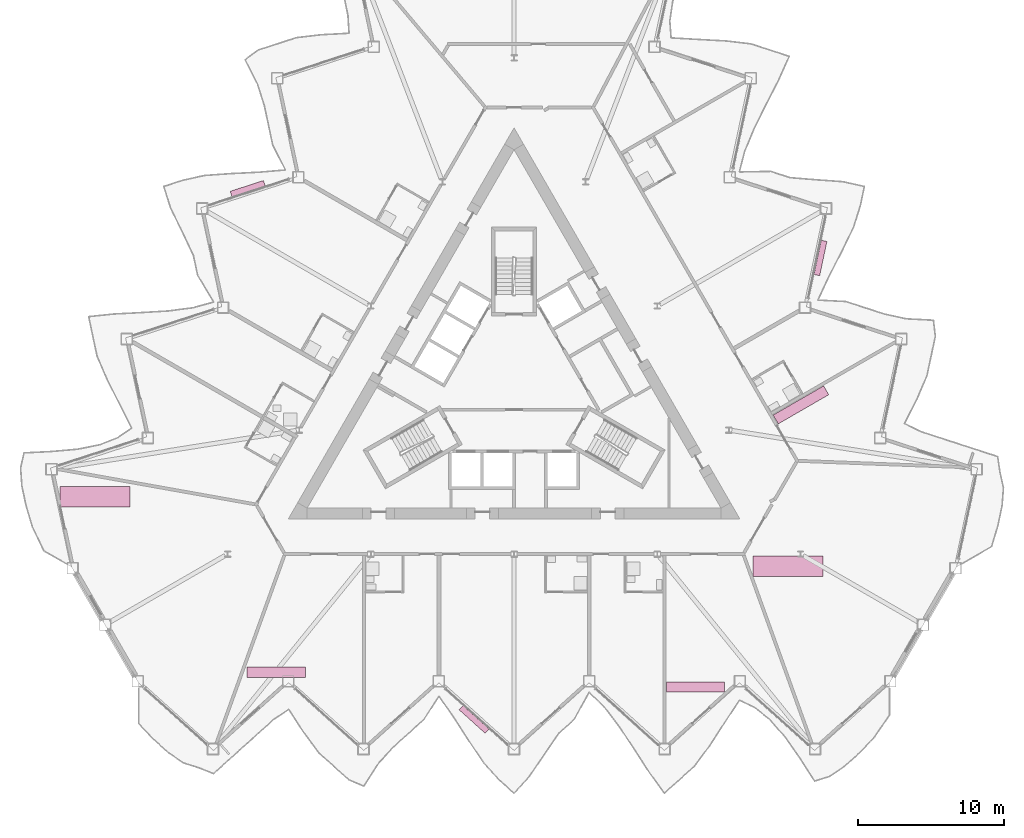
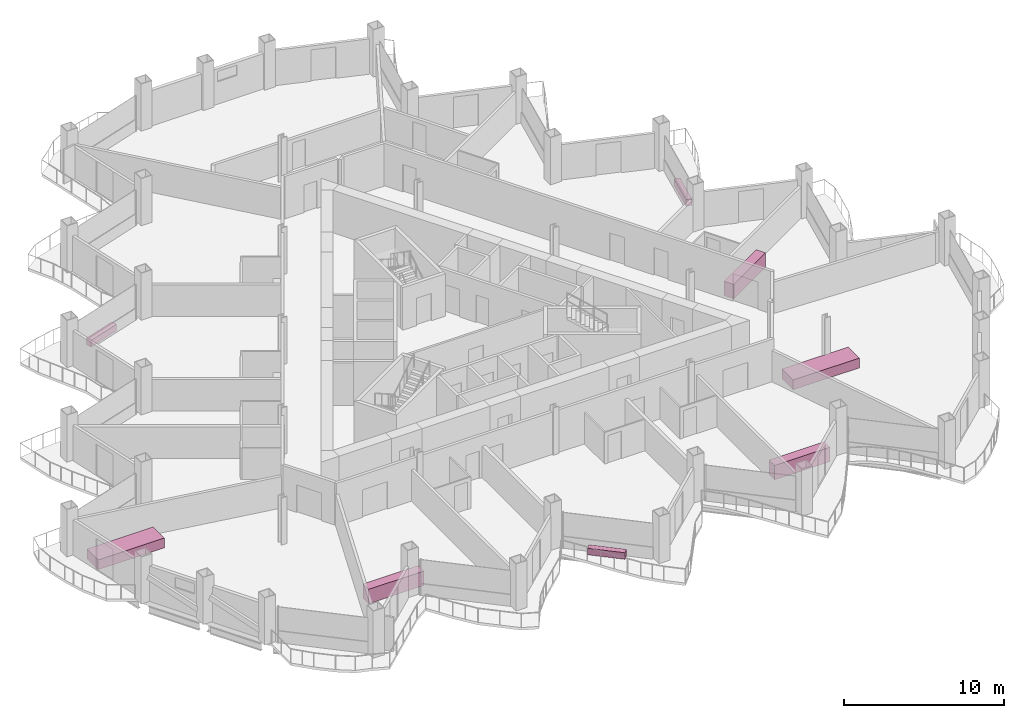
# One storey, part 23 of 23: 8 furniture elements.
"""IFC4 building model written with IfcOpenShell, lengths in metres."""

from ifc_helpers import new_model, si_unit, direction, frame, origin, origin_2d, place, context, subcontext, project, spatial, rectangle, extrude, material, type_object, element, save


model = new_model("IFC4")

# Units and contexts
model_context = context("Model", 3, precision=1e-05, world=origin(), true_north=direction((0.0, 1.0)))
body_context = subcontext(model_context, "Body", "Model", "MODEL_VIEW")
ifc_project = project(units=[si_unit("LENGTHUNIT", "METRE"), si_unit("AREAUNIT", "SQUARE_METRE"), si_unit("VOLUMEUNIT", "CUBIC_METRE"), si_unit("PLANEANGLEUNIT", "RADIAN"), si_unit("MASSUNIT", "GRAM", prefix="KILO")], contexts=[model_context])

# Site, building, storey
site_placement = place(None, origin())
site = spatial("IfcSite", under=ifc_project, at=site_placement, CompositionType="ELEMENT")
building_placement = place(site_placement, origin())
building = spatial("IfcBuilding", under=site, at=building_placement, Name="Cormorant Prow Tower", CompositionType="ELEMENT")
storey_placement = place(building_placement, frame((0.0, 0.0, 212.39990234375)))
storey = spatial("IfcBuildingStorey", under=building, at=storey_placement, Name="L47", CompositionType="ELEMENT", Elevation=212.39990234375)

# Furniture
ifc_material_1 = material(Name="Terracotta", Category="masonry")
furniture_type_1 = type_object("IfcFurnitureType", Name="Balcony planter 2400x400x500", AssemblyPlace="NOTDEFINED", PredefinedType="USERDEFINED", material=ifc_material_1)
for number, where, z_axis, x_axis, name in (
    (1, (-2.7451171875, -22.691650390625, 0.0), (0.0, 0.0, 1.0), (0.743144804304, -0.669130629874, 0.0), "Balcony planter S04"),
    (2, (21.024169921875, 8.968505859375, 0.0), (0.0, 0.0, 1.0), (0.20791171127, 0.978147596387, 0.0), "Balcony planter ENE04"),
    (3, (-18.279052734375, 13.72314453125, 0.0), (0.0, 0.0, 1.0), (-0.951056522756, -0.309016974489, 0.0), "Balcony planter WNW04"),
):
    element("IfcFurniture", number, at=place(storey_placement, frame(where, z_axis=z_axis, x_axis=x_axis)), inside=storey, type_object=furniture_type_1, Name=name, ObjectType="PLANTER", PredefinedType="USERDEFINED", context=body_context, shape_type="SweptSolid", body=[
        extrude(rectangle(XDim=2.39990234375, YDim=0.39990234375, at=origin_2d()), origin(), (0.0, 0.0, 1.0), 0.5),
    ])
ifc_material_2 = material(Name="Timber joinery", Category="wood")
furniture_type_2 = type_object("IfcFurnitureType", Name="Bar counter 4000x700", AssemblyPlace="NOTDEFINED", PredefinedType="NOTDEFINED", material=ifc_material_2)
for number, where, z_axis, x_axis, name in (
    (4, (-16.327392578125, -19.463623046875, 0.0), (0.0, 0.0, 1.0), (1.0, 0.0, 0.0), "Bar counter"),
    (5, (12.456298828125, -20.463623046875, 0.0), (0.0, 0.0, 1.0), (1.0, 0.0, 0.0), "Bar counter"),
    (6, (19.687255859375, -1.111572265625, 0.0), (0.0, 0.0, 1.0), (0.866025403784, 0.5, 0.0), "Bar counter"),
):
    element("IfcFurniture", number, at=place(storey_placement, frame(where, z_axis=z_axis, x_axis=x_axis)), inside=storey, type_object=furniture_type_2, Name=name, PredefinedType="NOTDEFINED", context=body_context, shape_type="SweptSolid", body=[
        extrude(rectangle(XDim=4.0, YDim=0.699951171875, at=origin_2d()), origin(), (0.0, 0.0, 1.0), 1.10009765625),
    ])
ifc_material_3 = material(Name="Timber joinery", Category="wood")
furniture_type_3 = type_object("IfcFurnitureType", Name="Conference table 4800x1400", AssemblyPlace="NOTDEFINED", PredefinedType="TABLE", material=ifc_material_3)
for number, where, z_axis, x_axis, name in (
    (7, (18.78515625, -12.17431640625, 0.0), (0.0, 0.0, 1.0), (1.0, 0.0, 0.0), "Conference table"),
    (8, (-28.74365234375, -7.42431640625, 0.0), (0.0, 0.0, 1.0), (1.0, 0.0, 0.0), "Conference table"),
):
    element("IfcFurniture", number, at=place(storey_placement, frame(where, z_axis=z_axis, x_axis=x_axis)), inside=storey, type_object=furniture_type_3, Name=name, PredefinedType="TABLE", context=body_context, shape_type="SweptSolid", body=[
        extrude(rectangle(XDim=4.800048828125, YDim=1.39990234375, at=origin_2d()), origin(), (0.0, 0.0, 1.0), 0.75),
    ])

save(model, "model.ifc")
